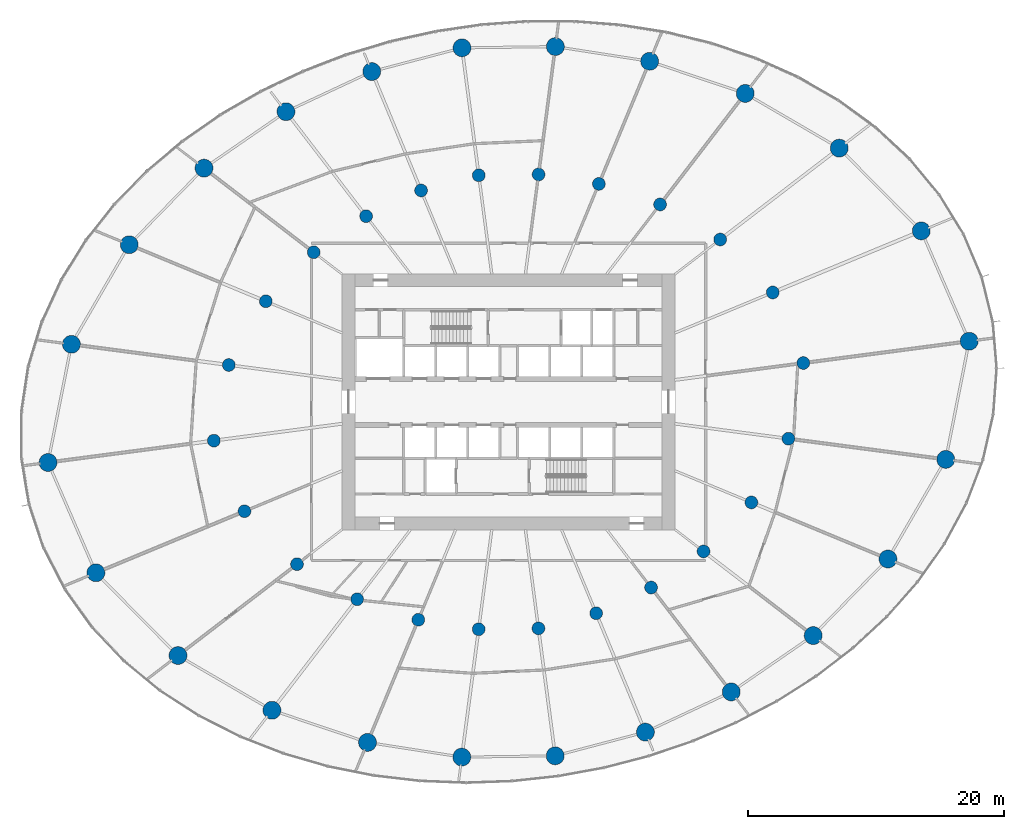
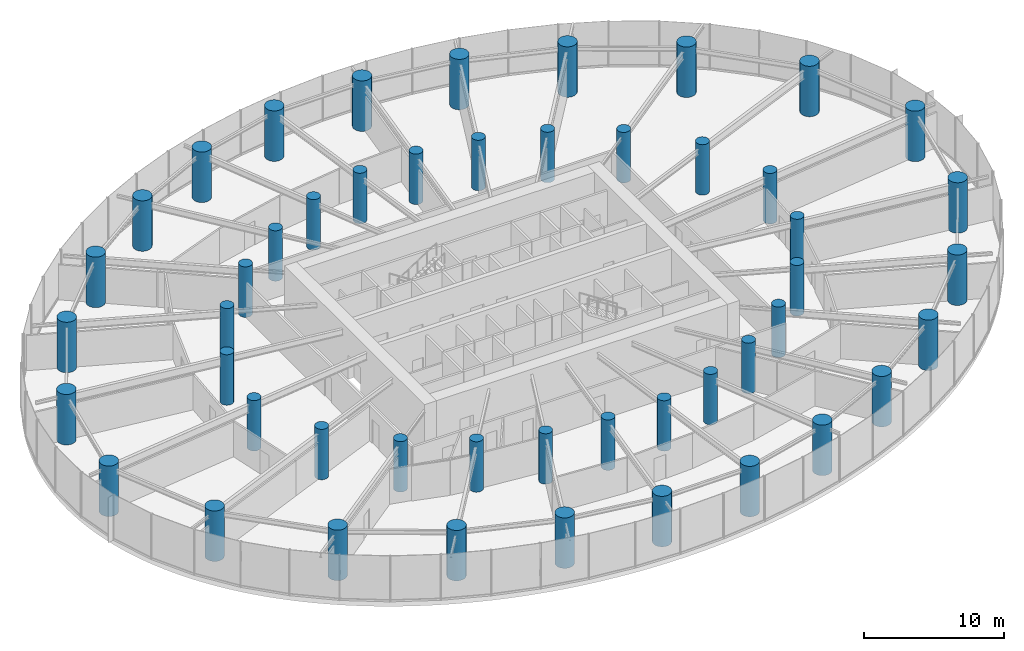
# One storey, part 1 of 19: 48 columns.
"""IFC4 building model written with IfcOpenShell, lengths in metres."""

import ifcopenshell
import ifcopenshell.guid

model = None  # the IFC model being written
_history = None  # IfcOwnerHistory: only IFC2X3 demands one
_inside = {}  # id of a spatial element -> (the spatial element, [elements in it])
_under = {}  # id of a project, library or spatial element -> (it, [spatial elements below it])
_declared = {}  # id of a project -> (the project, [libraries it declares])
_typed = {}  # id of a type object -> (the type object, [elements of that type])
_made_of = {}  # id of a material, layer set ... -> (it, [elements and type objects made of it])


def new_model(schema):
    """Start an empty IFC model of exactly this schema.

    Asked for "IFC4X3", IfcOpenShell would pick the latest addendum, in which some entities
    have other attributes; the version numbers below select the first issue.
    IFC2X3 requires an IfcOwnerHistory on every rooted entity: one is made here for all.
    """
    global model, _history
    if schema == "IFC4X3":
        model = ifcopenshell.file(schema_version=(4, 3, 0, 0))
    else:
        model = ifcopenshell.file(schema=schema)
    _inside.clear()
    _under.clear()
    _declared.clear()
    _typed.clear()
    _made_of.clear()
    _history = None
    if model.schema == "IFC2X3":
        org = make("IfcOrganization", Name="unknown")
        user = make(
            "IfcPersonAndOrganization",
            ThePerson=make("IfcPerson", FamilyName="unknown"),
            TheOrganization=org,
        )
        app = make(
            "IfcApplication",
            ApplicationDeveloper=org,
            Version="unknown",
            ApplicationFullName="unknown",
            ApplicationIdentifier="unknown",
        )
        _history = make(
            "IfcOwnerHistory",
            OwningUser=user,
            OwningApplication=app,
            ChangeAction="ADDED",
            CreationDate=0,
        )
    return model


def make(cls, **values):
    """One entity of the class cls with the attributes given. An attribute that is None is left unset."""
    return model.create_entity(
        cls, **{name: value for name, value in values.items() if value is not None}
    )


def rooted(cls, **values):
    """An entity with a GlobalId (a new one), such as an element, a storey or a relation."""
    return make(cls, GlobalId=ifcopenshell.guid.new(), OwnerHistory=_history, **values)


def si_unit(unit_type, name, prefix=None):
    """IfcSIUnit, for example si_unit("LENGTHUNIT", "METRE", prefix="MILLI")."""
    return make("IfcSIUnit", UnitType=unit_type, Prefix=prefix, Name=name)


def assignment(units):
    """IfcUnitAssignment: the units of a project."""
    return None if units is None else make("IfcUnitAssignment", Units=units)


def point(xyz):
    """IfcCartesianPoint."""
    return None if xyz is None else make("IfcCartesianPoint", Coordinates=xyz)


def direction(xyz):
    """IfcDirection."""
    return None if xyz is None else make("IfcDirection", DirectionRatios=xyz)


def frame(location, z_axis=None, x_axis=None):
    """IfcAxis2Placement3D, a coordinate frame: its origin and axes. An axis left out is left unset."""
    return make(
        "IfcAxis2Placement3D",
        Location=point(location),
        Axis=direction(z_axis),
        RefDirection=direction(x_axis),
    )


def frame_2d(location, x_axis=None):
    """IfcAxis2Placement2D, a coordinate frame in the plane: its origin and x axis."""
    return make(
        "IfcAxis2Placement2D", Location=point(location), RefDirection=direction(x_axis)
    )


def origin():
    """The frame at (0, 0, 0) with its axes left unset."""
    return frame((0.0, 0.0, 0.0))


def origin_2d():
    """The frame at (0, 0) in the plane with its x axis left unset."""
    return frame_2d((0.0, 0.0))


def place(relative_to, where):
    """IfcLocalPlacement: puts the frame where relative to a parent placement (None: the world)."""
    return make(
        "IfcLocalPlacement", PlacementRelTo=relative_to, RelativePlacement=where
    )


def context(
    kind, dimensions, precision=None, world=None, true_north=None, identifier=None
):
    """IfcGeometricRepresentationContext, for example the 3D "Model" context."""
    return make(
        "IfcGeometricRepresentationContext",
        ContextIdentifier=identifier,
        ContextType=kind,
        CoordinateSpaceDimension=dimensions,
        Precision=precision,
        WorldCoordinateSystem=world,
        TrueNorth=true_north,
    )


def subcontext(parent, identifier, kind, view, scale=None):
    """IfcGeometricRepresentationSubContext, for example "Body" below "Model"."""
    return make(
        "IfcGeometricRepresentationSubContext",
        ContextIdentifier=identifier,
        ContextType=kind,
        ParentContext=parent,
        TargetScale=scale,
        TargetView=view,
    )


def project(units=None, contexts=None):
    """IfcProject with its units and contexts."""
    return rooted(
        "IfcProject",
        Name="project",
        RepresentationContexts=contexts,
        UnitsInContext=assignment(units),
    )


def spatial(cls, under=None, at=None, **own):
    """A site, building, storey or space (cls), placed at a placement, below another one or the project."""
    s = rooted(cls, ObjectPlacement=at, **own)
    if under is not None:
        _under.setdefault(under.id(), (under, []))[1].append(s)
    return s


def profile(cls, at=None, kind="AREA", **sizes):
    """A parametric profile (cls). Its sizes go by their IFC names, for example OverallWidth=200.0."""
    return make(cls, ProfileType=kind, Position=at, **sizes)


def circle(**sizes):
    """IfcCircleProfileDef."""
    return profile("IfcCircleProfileDef", **sizes)


def extrude(swept, where, along, depth):
    """IfcExtrudedAreaSolid: the profile swept, set in the frame where, extruded along a direction by depth."""
    return make(
        "IfcExtrudedAreaSolid",
        SweptArea=swept,
        Position=where,
        ExtrudedDirection=direction(along),
        Depth=depth,
    )


def shape(context_of_items, identifier, shape_type, items):
    """IfcShapeRepresentation: the items that make up one representation, for example the "Body"."""
    return make(
        "IfcShapeRepresentation",
        ContextOfItems=context_of_items,
        RepresentationIdentifier=identifier,
        RepresentationType=shape_type,
        Items=items,
    )


def source(mapping_origin, context_of_items, identifier, shape_type, items):
    """IfcRepresentationMap: a shape defined once, which mapped items show again and again."""
    return make(
        "IfcRepresentationMap",
        MappingOrigin=mapping_origin,
        MappedRepresentation=shape(context_of_items, identifier, shape_type, items),
    )


def transform(
    local_origin,
    x_axis=None,
    y_axis=None,
    z_axis=None,
    scale=None,
    scale2=None,
    scale3=None,
    uniform=True,
):
    """IfcCartesianTransformationOperator3D, or its non-uniform kind. x_axis, y_axis, z_axis: its Axis1, 2, 3."""
    if uniform:
        return make(
            "IfcCartesianTransformationOperator3D",
            Axis1=direction(x_axis),
            Axis2=direction(y_axis),
            LocalOrigin=point(local_origin),
            Scale=scale,
            Axis3=direction(z_axis),
        )
    return make(
        "IfcCartesianTransformationOperator3DnonUniform",
        Axis1=direction(x_axis),
        Axis2=direction(y_axis),
        LocalOrigin=point(local_origin),
        Scale=scale,
        Axis3=direction(z_axis),
        Scale2=scale2,
        Scale3=scale3,
    )


def mapped(mapping_source, mapping_target):
    """IfcMappedItem: shows the shape of a source again, moved by a transform."""
    return make(
        "IfcMappedItem", MappingSource=mapping_source, MappingTarget=mapping_target
    )


def material(Name=None, Category=None):
    """IfcMaterial."""
    return make("IfcMaterial", Name=Name, Category=Category)


def material_profile(
    of_material, cross_section, Name=None, Category=None, Priority=None
):
    """IfcMaterialProfile: a cross section and its material."""
    return make(
        "IfcMaterialProfile",
        Name=Name,
        Material=of_material,
        Profile=cross_section,
        Priority=Priority,
        Category=Category,
    )


def profile_set(profiles, Name=None, composite=None):
    """IfcMaterialProfileSet."""
    return make(
        "IfcMaterialProfileSet",
        Name=Name,
        MaterialProfiles=profiles,
        CompositeProfile=composite,
    )


def made_of(thing, what):
    """Note that an element or type object is made of a material, layer set ...; save() writes the relation."""
    if what is not None:
        _made_of.setdefault(what.id(), (what, []))[1].append(thing)
    return thing


def type_object(cls, material=None, **own):
    """A type object (cls), such as IfcWallType, which elements share."""
    return made_of(rooted(cls, **own), material)


def element(
    cls,
    number,
    at=None,
    inside=None,
    cuts=None,
    type_object=None,
    material=None,
    context=None,
    identifier="Body",
    shape_type=None,
    held_by="IfcProductDefinitionShape",
    body=None,
    shapes=None,
    **own,
):
    """One element of the class cls, such as IfcWall. Its Tag is "e" and its number.

    at: its placement. inside: the storey or other place that contains it. cuts: it is an
    opening in that element (IfcRelVoidsElement). A single representation is given by context,
    identifier, shape_type and body (its items); several are given by shapes. held_by: the class
    of the entity that holds the representations. save() writes the other relations.
    """
    e = rooted(cls, Tag="e%d" % number, ObjectPlacement=at, **own)
    if body is not None:
        shapes = [shape(context, identifier, shape_type, body)]
    if shapes is not None:
        e.Representation = make(held_by, Representations=shapes)
    if inside is not None:
        _inside.setdefault(inside.id(), (inside, []))[1].append(e)
    if cuts is not None:
        rooted(
            "IfcRelVoidsElement", RelatingBuildingElement=cuts, RelatedOpeningElement=e
        )
    if type_object is not None:
        _typed.setdefault(type_object.id(), (type_object, []))[1].append(e)
    return made_of(e, material)


def aggregate(whole, parts):
    """IfcRelAggregates: a whole, such as a stair, and the parts it consists of."""
    return rooted("IfcRelAggregates", RelatingObject=whole, RelatedObjects=parts)


def save(model, path):
    """Write the relations noted so far, then the file.

    IfcRelAggregates (storeys below a building ...), IfcRelContainedInSpatialStructure (elements
    in a storey), IfcRelDefinesByType, IfcRelAssociatesMaterial and IfcRelDeclares: one each for
    every whole, place, type object, material and project.
    """
    for whole, parts in _under.values():
        aggregate(whole, parts)
    for where, things in _inside.values():
        rooted(
            "IfcRelContainedInSpatialStructure",
            RelatedElements=things,
            RelatingStructure=where,
        )
    for kind, things in _typed.values():
        rooted("IfcRelDefinesByType", RelatedObjects=things, RelatingType=kind)
    for what, things in _made_of.values():
        rooted("IfcRelAssociatesMaterial", RelatedObjects=things, RelatingMaterial=what)
    for by, libraries in _declared.values():
        rooted("IfcRelDeclares", RelatingContext=by, RelatedDefinitions=libraries)
    model.write(path)


model = new_model("IFC4")

# Units and contexts
model_context = context("Model", 3, precision=1e-05, world=origin(), true_north=direction((0.0, 1.0)))
body_context = subcontext(model_context, "Body", "Model", "MODEL_VIEW")
ifc_project = project(units=[si_unit("LENGTHUNIT", "METRE"), si_unit("AREAUNIT", "SQUARE_METRE"), si_unit("VOLUMEUNIT", "CUBIC_METRE"), si_unit("PLANEANGLEUNIT", "RADIAN"), si_unit("MASSUNIT", "GRAM", prefix="KILO")], contexts=[model_context])

# Site, building, storey
site_placement = place(None, origin())
site = spatial("IfcSite", under=ifc_project, at=site_placement, CompositionType="ELEMENT")
building_placement = place(site_placement, origin())
building = spatial("IfcBuilding", under=site, at=building_placement, Name="Spindrift Exchange Tower", CompositionType="ELEMENT")
storey_placement = place(building_placement, frame((0.0, 0.0, 53.39990234375)))
storey = spatial("IfcBuildingStorey", under=building, at=storey_placement, Name="L12", CompositionType="ELEMENT", Elevation=53.39990234375)

# Columns
ifc_material = material(Name="Concrete 80 MPa", Category="concrete")
ifc_material_profile_1 = material_profile(ifc_material, circle(Radius=0.699951171875, at=origin_2d()), Name="RC D1400")
ifc_profile_set_1 = profile_set([ifc_material_profile_1], Name="Concrete 80 MPa")
column_type_1 = type_object("IfcColumnType", Name="RC Perimeter Column D1400 Concrete 80 MPa", PredefinedType="COLUMN", material=ifc_profile_set_1)
shared_shape_1 = source(origin(), body_context, "Body", "SweptSolid", [
    extrude(circle(Radius=0.699951171875, at=origin_2d()), origin(), (0.0, 0.0, 1.0), 4.400146484375),
])
for number, where, z_axis, x_axis, name in (
    (1, (87.990478515625, 52.73828125, 0.0), (0.0, 0.0, 1.0), (1.0, 0.0, 0.0), "Perimeter column P1-01 L12"),
    (2, (84.248779296875, 61.35791015625, 0.0), (0.0, 0.0, 1.0), (1.0, 0.0, 0.0), "Perimeter column P1-02 L12"),
    (3, (77.835693359375, 67.82421875, 0.0), (0.0, 0.0, 1.0), (1.0, 0.0, 0.0), "Perimeter column P1-03 L12"),
    (4, (70.4921875, 72.099609375, 0.0), (0.0, 0.0, 1.0), (1.0, 0.0, 0.0), "Perimeter column P1-04 L12"),
    (5, (63.022705078125, 74.611328125, 0.0), (0.0, 0.0, 1.0), (1.0, 0.0, 0.0), "Perimeter column P1-05 L12"),
    (6, (55.65478515625, 75.761474609375, 0.0), (0.0, 0.0, 1.0), (1.0, 0.0, 0.0), "Perimeter column P1-06 L12"),
    (7, (48.3583984375, 75.661376953125, 0.0), (0.0, 0.0, 1.0), (1.0, 0.0, 0.0), "Perimeter column P1-07 L12"),
    (8, (41.309814453125, 73.80859375, 0.0), (0.0, 0.0, 1.0), (1.0, 0.0, 0.0), "Perimeter column P1-08 L12"),
    (9, (34.603515625, 70.671630859375, 0.0), (0.0, 0.0, 1.0), (1.0, 0.0, 0.0), "Perimeter column P1-09 L12"),
    (10, (28.199462890625, 66.2626953125, 0.0), (0.0, 0.0, 1.0), (1.0, 0.0, 0.0), "Perimeter column P1-10 L12"),
    (11, (22.35546875, 60.279296875, 0.0), (0.0, 0.0, 1.0), (1.0, 0.0, 0.0), "Perimeter column P1-11 L12"),
    (12, (17.8388671875, 52.497314453125, 0.0), (0.0, 0.0, 1.0), (1.0, 0.0, 0.0), "Perimeter column P1-12 L12"),
    (13, (16.009521484375, 43.26171875, 0.0), (0.0, 0.0, 1.0), (1.0, 0.0, 0.0), "Perimeter column P1-13 L12"),
    (14, (19.751220703125, 34.64208984375, 0.0), (0.0, 0.0, 1.0), (1.0, 0.0, 0.0), "Perimeter column P1-14 L12"),
    (15, (26.164306640625, 28.17578125, 0.0), (0.0, 0.0, 1.0), (1.0, 0.0, 0.0), "Perimeter column P1-15 L12"),
    (16, (33.5078125, 23.900390625, 0.0), (0.0, 0.0, 1.0), (1.0, 0.0, 0.0), "Perimeter column P1-16 L12"),
    (17, (40.977294921875, 21.388671875, 0.0), (0.0, 0.0, 1.0), (1.0, 0.0, 0.0), "Perimeter column P1-17 L12"),
    (18, (48.34521484375, 20.238525390625, 0.0), (0.0, 0.0, 1.0), (1.0, 0.0, 0.0), "Perimeter column P1-18 L12"),
    (19, (55.6416015625, 20.338623046875, 0.0), (0.0, 0.0, 1.0), (1.0, 0.0, 0.0), "Perimeter column P1-19 L12"),
    (20, (62.690185546875, 22.19140625, 0.0), (0.0, 0.0, 1.0), (1.0, 0.0, 0.0), "Perimeter column P1-20 L12"),
    (21, (69.396484375, 25.328369140625, 0.0), (0.0, 0.0, 1.0), (1.0, 0.0, 0.0), "Perimeter column P1-21 L12"),
    (22, (75.800537109375, 29.7373046875, 0.0), (0.0, 0.0, 1.0), (1.0, 0.0, 0.0), "Perimeter column P1-22 L12"),
    (23, (81.64453125, 35.720703125, 0.0), (0.0, 0.0, 1.0), (1.0, 0.0, 0.0), "Perimeter column P1-23 L12"),
    (24, (86.1611328125, 43.502685546875, 0.0), (0.0, 0.0, 1.0), (1.0, 0.0, 0.0), "Perimeter column P1-24 L12"),
):
    element("IfcColumn", number, at=place(storey_placement, frame(where, z_axis=z_axis, x_axis=x_axis)), inside=storey, type_object=column_type_1, Name=name, PredefinedType="COLUMN", context=body_context, shape_type="MappedRepresentation", body=[
        mapped(shared_shape_1, transform((0.0, 0.0, 0.0), scale=1.0)),
    ])
ifc_material_profile_2 = material_profile(ifc_material, circle(Radius=0.5, at=origin_2d()), Name="RC D1000")
ifc_profile_set_2 = profile_set([ifc_material_profile_2], Name="Concrete 80 MPa")
column_type_2 = type_object("IfcColumnType", Name="RC Inner Column D1000 Concrete 80 MPa", PredefinedType="COLUMN", material=ifc_profile_set_2)
shared_shape_2 = source(origin(), body_context, "Body", "SweptSolid", [
    extrude(circle(Radius=0.5, at=origin_2d()), origin(), (0.0, 0.0, 1.0), 4.400146484375),
])
for number, where, z_axis, x_axis, name in (
    (25, (75.033935546875, 51.032470703125, 0.0), (0.0, 0.0, 1.0), (1.0, 0.0, 0.0), "Inner column Q1-01 L12"),
    (26, (72.639404296875, 56.549072265625, 0.0), (0.0, 0.0, 1.0), (1.0, 0.0, 0.0), "Inner column Q1-02 L12"),
    (27, (68.534912109375, 60.6875, 0.0), (0.0, 0.0, 1.0), (1.0, 0.0, 0.0), "Inner column Q1-03 L12"),
    (28, (63.835205078125, 63.423828125, 0.0), (0.0, 0.0, 1.0), (1.0, 0.0, 0.0), "Inner column Q1-04 L12"),
    (29, (59.0546875, 65.03125, 0.0), (0.0, 0.0, 1.0), (1.0, 0.0, 0.0), "Inner column Q1-05 L12"),
    (30, (54.339111328125, 65.767333984375, 0.0), (0.0, 0.0, 1.0), (1.0, 0.0, 0.0), "Inner column Q1-06 L12"),
    (31, (49.669189453125, 65.703125, 0.0), (0.0, 0.0, 1.0), (1.0, 0.0, 0.0), "Inner column Q1-07 L12"),
    (32, (45.158203125, 64.517578125, 0.0), (0.0, 0.0, 1.0), (1.0, 0.0, 0.0), "Inner column Q1-08 L12"),
    (33, (40.8662109375, 62.510009765625, 0.0), (0.0, 0.0, 1.0), (1.0, 0.0, 0.0), "Inner column Q1-09 L12"),
    (34, (36.767578125, 59.688232421875, 0.0), (0.0, 0.0, 1.0), (1.0, 0.0, 0.0), "Inner column Q1-10 L12"),
    (35, (33.027587890625, 55.858642578125, 0.0), (0.0, 0.0, 1.0), (1.0, 0.0, 0.0), "Inner column Q1-11 L12"),
    (36, (30.13671875, 50.87841796875, 0.0), (0.0, 0.0, 1.0), (1.0, 0.0, 0.0), "Inner column Q1-12 L12"),
    (37, (28.966064453125, 44.967529296875, 0.0), (0.0, 0.0, 1.0), (1.0, 0.0, 0.0), "Inner column Q1-13 L12"),
    (38, (31.360595703125, 39.450927734375, 0.0), (0.0, 0.0, 1.0), (1.0, 0.0, 0.0), "Inner column Q1-14 L12"),
    (39, (35.465087890625, 35.3125, 0.0), (0.0, 0.0, 1.0), (1.0, 0.0, 0.0), "Inner column Q1-15 L12"),
    (40, (40.164794921875, 32.576171875, 0.0), (0.0, 0.0, 1.0), (1.0, 0.0, 0.0), "Inner column Q1-16 L12"),
    (41, (44.9453125, 30.96875, 0.0), (0.0, 0.0, 1.0), (1.0, 0.0, 0.0), "Inner column Q1-17 L12"),
    (42, (49.660888671875, 30.232666015625, 0.0), (0.0, 0.0, 1.0), (1.0, 0.0, 0.0), "Inner column Q1-18 L12"),
    (43, (54.330810546875, 30.296875, 0.0), (0.0, 0.0, 1.0), (1.0, 0.0, 0.0), "Inner column Q1-19 L12"),
    (44, (58.841796875, 31.482421875, 0.0), (0.0, 0.0, 1.0), (1.0, 0.0, 0.0), "Inner column Q1-20 L12"),
    (45, (63.1337890625, 33.489990234375, 0.0), (0.0, 0.0, 1.0), (1.0, 0.0, 0.0), "Inner column Q1-21 L12"),
    (46, (67.232421875, 36.311767578125, 0.0), (0.0, 0.0, 1.0), (1.0, 0.0, 0.0), "Inner column Q1-22 L12"),
    (47, (70.972412109375, 40.141357421875, 0.0), (0.0, 0.0, 1.0), (1.0, 0.0, 0.0), "Inner column Q1-23 L12"),
    (48, (73.86328125, 45.12158203125, 0.0), (0.0, 0.0, 1.0), (1.0, 0.0, 0.0), "Inner column Q1-24 L12"),
):
    element("IfcColumn", number, at=place(storey_placement, frame(where, z_axis=z_axis, x_axis=x_axis)), inside=storey, type_object=column_type_2, Name=name, PredefinedType="COLUMN", context=body_context, shape_type="MappedRepresentation", body=[
        mapped(shared_shape_2, transform((0.0, 0.0, 0.0), scale=1.0)),
    ])

save(model, "model.ifc")
